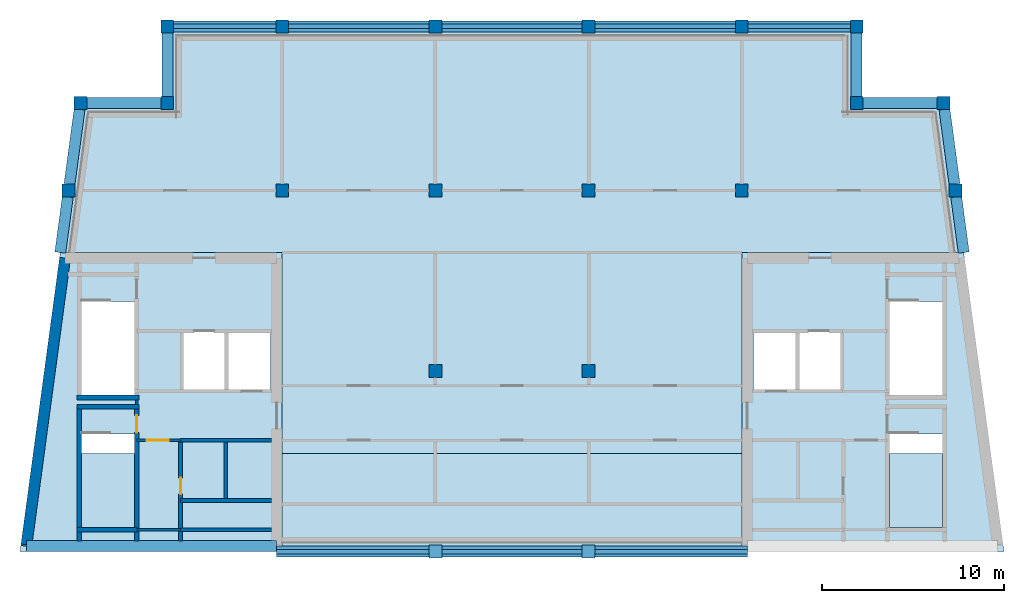
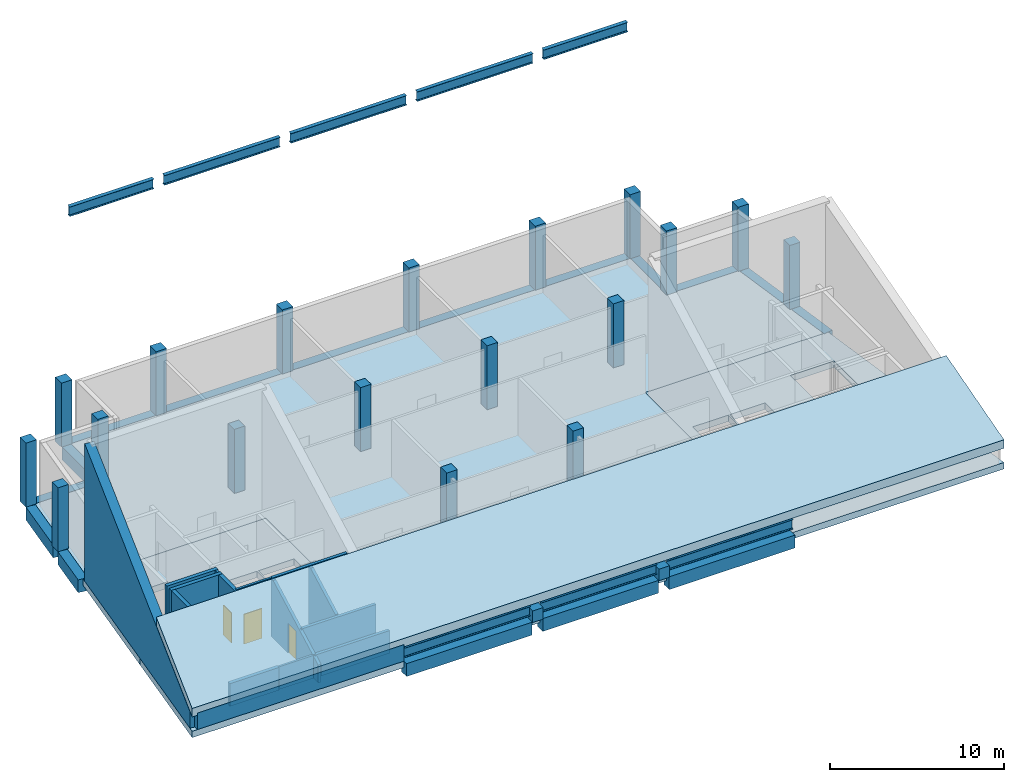
# One storey, part 1 of 4: 24 beams, 20 columns, 15 walls, 4 slabs, 3 doors, 3 openings.
"""IFC4 building model written with IfcOpenShell, lengths in metres."""

import ifcopenshell
import ifcopenshell.guid

model = None  # the IFC model being written
_history = None  # IfcOwnerHistory: only IFC2X3 demands one
_inside = {}  # id of a spatial element -> (the spatial element, [elements in it])
_under = {}  # id of a project, library or spatial element -> (it, [spatial elements below it])
_declared = {}  # id of a project -> (the project, [libraries it declares])
_typed = {}  # id of a type object -> (the type object, [elements of that type])
_made_of = {}  # id of a material, layer set ... -> (it, [elements and type objects made of it])


def new_model(schema):
    """Start an empty IFC model of exactly this schema.

    Asked for "IFC4X3", IfcOpenShell would pick the latest addendum, in which some entities
    have other attributes; the version numbers below select the first issue.
    IFC2X3 requires an IfcOwnerHistory on every rooted entity: one is made here for all.
    """
    global model, _history
    if schema == "IFC4X3":
        model = ifcopenshell.file(schema_version=(4, 3, 0, 0))
    else:
        model = ifcopenshell.file(schema=schema)
    _inside.clear()
    _under.clear()
    _declared.clear()
    _typed.clear()
    _made_of.clear()
    _history = None
    if model.schema == "IFC2X3":
        org = make("IfcOrganization", Name="unknown")
        user = make(
            "IfcPersonAndOrganization",
            ThePerson=make("IfcPerson", FamilyName="unknown"),
            TheOrganization=org,
        )
        app = make(
            "IfcApplication",
            ApplicationDeveloper=org,
            Version="unknown",
            ApplicationFullName="unknown",
            ApplicationIdentifier="unknown",
        )
        _history = make(
            "IfcOwnerHistory",
            OwningUser=user,
            OwningApplication=app,
            ChangeAction="ADDED",
            CreationDate=0,
        )
    return model


def make(cls, **values):
    """One entity of the class cls with the attributes given. An attribute that is None is left unset."""
    return model.create_entity(
        cls, **{name: value for name, value in values.items() if value is not None}
    )


def rooted(cls, **values):
    """An entity with a GlobalId (a new one), such as an element, a storey or a relation."""
    return make(cls, GlobalId=ifcopenshell.guid.new(), OwnerHistory=_history, **values)


def si_unit(unit_type, name, prefix=None):
    """IfcSIUnit, for example si_unit("LENGTHUNIT", "METRE", prefix="MILLI")."""
    return make("IfcSIUnit", UnitType=unit_type, Prefix=prefix, Name=name)


def assignment(units):
    """IfcUnitAssignment: the units of a project."""
    return None if units is None else make("IfcUnitAssignment", Units=units)


def point(xyz):
    """IfcCartesianPoint."""
    return None if xyz is None else make("IfcCartesianPoint", Coordinates=xyz)


def direction(xyz):
    """IfcDirection."""
    return None if xyz is None else make("IfcDirection", DirectionRatios=xyz)


def frame(location, z_axis=None, x_axis=None):
    """IfcAxis2Placement3D, a coordinate frame: its origin and axes. An axis left out is left unset."""
    return make(
        "IfcAxis2Placement3D",
        Location=point(location),
        Axis=direction(z_axis),
        RefDirection=direction(x_axis),
    )


def frame_2d(location, x_axis=None):
    """IfcAxis2Placement2D, a coordinate frame in the plane: its origin and x axis."""
    return make(
        "IfcAxis2Placement2D", Location=point(location), RefDirection=direction(x_axis)
    )


def origin():
    """The frame at (0, 0, 0) with its axes left unset."""
    return frame((0.0, 0.0, 0.0))


def origin_2d():
    """The frame at (0, 0) in the plane with its x axis left unset."""
    return frame_2d((0.0, 0.0))


def place(relative_to, where):
    """IfcLocalPlacement: puts the frame where relative to a parent placement (None: the world)."""
    return make(
        "IfcLocalPlacement", PlacementRelTo=relative_to, RelativePlacement=where
    )


def context(
    kind, dimensions, precision=None, world=None, true_north=None, identifier=None
):
    """IfcGeometricRepresentationContext, for example the 3D "Model" context."""
    return make(
        "IfcGeometricRepresentationContext",
        ContextIdentifier=identifier,
        ContextType=kind,
        CoordinateSpaceDimension=dimensions,
        Precision=precision,
        WorldCoordinateSystem=world,
        TrueNorth=true_north,
    )


def subcontext(parent, identifier, kind, view, scale=None):
    """IfcGeometricRepresentationSubContext, for example "Body" below "Model"."""
    return make(
        "IfcGeometricRepresentationSubContext",
        ContextIdentifier=identifier,
        ContextType=kind,
        ParentContext=parent,
        TargetScale=scale,
        TargetView=view,
    )


def project(units=None, contexts=None):
    """IfcProject with its units and contexts."""
    return rooted(
        "IfcProject",
        Name="project",
        RepresentationContexts=contexts,
        UnitsInContext=assignment(units),
    )


def spatial(cls, under=None, at=None, **own):
    """A site, building, storey or space (cls), placed at a placement, below another one or the project."""
    s = rooted(cls, ObjectPlacement=at, **own)
    if under is not None:
        _under.setdefault(under.id(), (under, []))[1].append(s)
    return s


def polyline(points):
    """IfcPolyline through the points."""
    return make("IfcPolyline", Points=[point(p) for p in points])


def profile(cls, at=None, kind="AREA", **sizes):
    """A parametric profile (cls). Its sizes go by their IFC names, for example OverallWidth=200.0."""
    return make(cls, ProfileType=kind, Position=at, **sizes)


def rectangle(**sizes):
    """IfcRectangleProfileDef."""
    return profile("IfcRectangleProfileDef", **sizes)


def i_section(**sizes):
    """IfcIShapeProfileDef."""
    return profile("IfcIShapeProfileDef", **sizes)


def outline(outer, holes=None, kind="AREA"):
    """IfcArbitraryClosedProfileDef: a profile drawn as a closed curve; with holes, ...WithVoids."""
    if holes is None:
        return make("IfcArbitraryClosedProfileDef", ProfileType=kind, OuterCurve=outer)
    return make(
        "IfcArbitraryProfileDefWithVoids",
        ProfileType=kind,
        OuterCurve=outer,
        InnerCurves=holes,
    )


def extrude(swept, where, along, depth):
    """IfcExtrudedAreaSolid: the profile swept, set in the frame where, extruded along a direction by depth."""
    return make(
        "IfcExtrudedAreaSolid",
        SweptArea=swept,
        Position=where,
        ExtrudedDirection=direction(along),
        Depth=depth,
    )


def shape(context_of_items, identifier, shape_type, items):
    """IfcShapeRepresentation: the items that make up one representation, for example the "Body"."""
    return make(
        "IfcShapeRepresentation",
        ContextOfItems=context_of_items,
        RepresentationIdentifier=identifier,
        RepresentationType=shape_type,
        Items=items,
    )


def material(Name=None, Category=None):
    """IfcMaterial."""
    return make("IfcMaterial", Name=Name, Category=Category)


def layer(
    of_material, thickness, ventilated=None, Name=None, Category=None, Priority=None
):
    """IfcMaterialLayer: one layer of a wall or slab, of a material (None: an air gap)."""
    return make(
        "IfcMaterialLayer",
        Material=of_material,
        LayerThickness=thickness,
        IsVentilated=ventilated,
        Name=Name,
        Category=Category,
        Priority=Priority,
    )


def layer_set(layers, Name=None):
    """IfcMaterialLayerSet."""
    return make("IfcMaterialLayerSet", MaterialLayers=layers, LayerSetName=Name)


def material_profile(
    of_material, cross_section, Name=None, Category=None, Priority=None
):
    """IfcMaterialProfile: a cross section and its material."""
    return make(
        "IfcMaterialProfile",
        Name=Name,
        Material=of_material,
        Profile=cross_section,
        Priority=Priority,
        Category=Category,
    )


def profile_set(profiles, Name=None, composite=None):
    """IfcMaterialProfileSet."""
    return make(
        "IfcMaterialProfileSet",
        Name=Name,
        MaterialProfiles=profiles,
        CompositeProfile=composite,
    )


def made_of(thing, what):
    """Note that an element or type object is made of a material, layer set ...; save() writes the relation."""
    if what is not None:
        _made_of.setdefault(what.id(), (what, []))[1].append(thing)
    return thing


def type_object(cls, material=None, **own):
    """A type object (cls), such as IfcWallType, which elements share."""
    return made_of(rooted(cls, **own), material)


def element(
    cls,
    number,
    at=None,
    inside=None,
    cuts=None,
    type_object=None,
    material=None,
    context=None,
    identifier="Body",
    shape_type=None,
    held_by="IfcProductDefinitionShape",
    body=None,
    shapes=None,
    **own,
):
    """One element of the class cls, such as IfcWall. Its Tag is "e" and its number.

    at: its placement. inside: the storey or other place that contains it. cuts: it is an
    opening in that element (IfcRelVoidsElement). A single representation is given by context,
    identifier, shape_type and body (its items); several are given by shapes. held_by: the class
    of the entity that holds the representations. save() writes the other relations.
    """
    e = rooted(cls, Tag="e%d" % number, ObjectPlacement=at, **own)
    if body is not None:
        shapes = [shape(context, identifier, shape_type, body)]
    if shapes is not None:
        e.Representation = make(held_by, Representations=shapes)
    if inside is not None:
        _inside.setdefault(inside.id(), (inside, []))[1].append(e)
    if cuts is not None:
        rooted(
            "IfcRelVoidsElement", RelatingBuildingElement=cuts, RelatedOpeningElement=e
        )
    if type_object is not None:
        _typed.setdefault(type_object.id(), (type_object, []))[1].append(e)
    return made_of(e, material)


def fill(opening, filler):
    """IfcRelFillsElement: the door or window that sits in an opening."""
    return rooted(
        "IfcRelFillsElement",
        RelatingOpeningElement=opening,
        RelatedBuildingElement=filler,
    )


def aggregate(whole, parts):
    """IfcRelAggregates: a whole, such as a stair, and the parts it consists of."""
    return rooted("IfcRelAggregates", RelatingObject=whole, RelatedObjects=parts)


def save(model, path):
    """Write the relations noted so far, then the file.

    IfcRelAggregates (storeys below a building ...), IfcRelContainedInSpatialStructure (elements
    in a storey), IfcRelDefinesByType, IfcRelAssociatesMaterial and IfcRelDeclares: one each for
    every whole, place, type object, material and project.
    """
    for whole, parts in _under.values():
        aggregate(whole, parts)
    for where, things in _inside.values():
        rooted(
            "IfcRelContainedInSpatialStructure",
            RelatedElements=things,
            RelatingStructure=where,
        )
    for kind, things in _typed.values():
        rooted("IfcRelDefinesByType", RelatedObjects=things, RelatingType=kind)
    for what, things in _made_of.values():
        rooted("IfcRelAssociatesMaterial", RelatedObjects=things, RelatingMaterial=what)
    for by, libraries in _declared.values():
        rooted("IfcRelDeclares", RelatingContext=by, RelatedDefinitions=libraries)
    model.write(path)


model = new_model("IFC4")

# Units and contexts
model_context = context("Model", 3, precision=1e-05, world=origin(), true_north=direction((0.0, 1.0)))
body_context = subcontext(model_context, "Body", "Model", "MODEL_VIEW")
ifc_project = project(units=[si_unit("LENGTHUNIT", "METRE"), si_unit("AREAUNIT", "SQUARE_METRE"), si_unit("VOLUMEUNIT", "CUBIC_METRE"), si_unit("PLANEANGLEUNIT", "RADIAN"), si_unit("MASSUNIT", "GRAM", prefix="KILO")], contexts=[model_context])

# Site, building, storey
site_placement = place(None, origin())
site = spatial("IfcSite", under=ifc_project, at=site_placement, CompositionType="ELEMENT")
building_placement = place(site_placement, origin())
building = spatial("IfcBuilding", under=site, at=building_placement, Name="Candeia Pilgrim Tower and Theatre", CompositionType="ELEMENT")
storey_placement = place(building_placement, frame((0.0, 0.0, 319.89990234375)))
storey = spatial("IfcBuildingStorey", under=building, at=storey_placement, Name="L77", CompositionType="ELEMENT", Elevation=319.89990234375)

# Columns
ifc_material_1 = material(Name="Concrete C40/50", Category="concrete")
ifc_material_profile_1 = material_profile(ifc_material_1, rectangle(XDim=0.699951171875, YDim=0.699951171875, at=origin_2d()))
ifc_profile_set_1 = profile_set([ifc_material_profile_1], Name="Concrete C40/50")
column_type = type_object("IfcColumnType", Name="RC 700x700 C40/50", PredefinedType="COLUMN", material=ifc_profile_set_1)
for number, where, z_axis, x_axis, name in (
    (1, (94.5, 140.60009765625, 0.0), (0.0, 0.0, 1.0), (1.0, 0.0, 0.0), "Column NNW"),
    (2, (132.300048828125, 140.60009765625, 0.0), (0.0, 0.0, 1.0), (1.0, 0.0, 0.0), "Column NNE"),
    (3, (89.734619140625, 140.60009765625, 0.0), (0.0, 0.0, 1.0), (1.0, 0.0, 0.0), "Column LNW"),
    (4, (137.0654296875, 140.60009765625, 0.0), (0.0, 0.0, 1.0), (1.0, 0.0, 0.0), "Column LNE"),
):
    element("IfcColumn", number, at=place(storey_placement, frame(where, z_axis=z_axis, x_axis=x_axis)), inside=storey, type_object=column_type, Name=name, PredefinedType="COLUMN", context=body_context, shape_type="SweptSolid", body=[
        extrude(rectangle(XDim=0.699951171875, YDim=0.699951171875, at=origin_2d()), origin(), (0.0, 0.0, 1.0), 4.5),
    ])
for number, where, z_axis, x_axis, name in (
    (5, (109.199951171875, 116.0, 0.0), (0.0, 0.0, 1.0), (1.0, 0.0, 0.0), "Column C3"),
    (6, (117.60009765625, 116.0, 0.0), (0.0, 0.0, 1.0), (1.0, 0.0, 0.0), "Column C4"),
):
    element("IfcColumn", number, at=place(storey_placement, frame(where, z_axis=z_axis, x_axis=x_axis)), inside=storey, type_object=column_type, Name=name, PredefinedType="COLUMN", context=body_context, shape_type="SweptSolid", body=[
        extrude(rectangle(XDim=0.699951171875, YDim=0.699951171875, at=origin_2d()), origin(), (0.0, 0.0, 1.0), 0.811767578125),
    ])
for number, where, z_axis, x_axis, name in (
    (7, (109.199951171875, 125.89990234375, 0.0), (0.0, 0.0, 1.0), (1.0, 0.0, 0.0), "Column D3"),
    (8, (117.60009765625, 125.89990234375, 0.0), (0.0, 0.0, 1.0), (1.0, 0.0, 0.0), "Column D4"),
    (9, (100.800048828125, 135.800048828125, 0.0), (0.0, 0.0, 1.0), (1.0, 0.0, 0.0), "Column E2"),
    (10, (109.199951171875, 135.800048828125, 0.0), (0.0, 0.0, 1.0), (1.0, 0.0, 0.0), "Column E3"),
    (11, (117.60009765625, 135.800048828125, 0.0), (0.0, 0.0, 1.0), (1.0, 0.0, 0.0), "Column E4"),
    (12, (126.0, 135.800048828125, 0.0), (0.0, 0.0, 1.0), (1.0, 0.0, 0.0), "Column E5"),
    (13, (89.08837890625, 135.800048828125, 0.0), (0.0, 0.0, 1.0), (1.0, 0.0, 0.0), "Column EW"),
    (14, (137.71142578125, 135.800048828125, 0.0), (0.0, 0.0, 1.0), (1.0, 0.0, 0.0), "Column EE"),
    (15, (100.800048828125, 144.800048828125, 0.0), (0.0, 0.0, 1.0), (1.0, 0.0, 0.0), "Column F2"),
    (16, (109.199951171875, 144.800048828125, 0.0), (0.0, 0.0, 1.0), (1.0, 0.0, 0.0), "Column F3"),
    (17, (117.60009765625, 144.800048828125, 0.0), (0.0, 0.0, 1.0), (1.0, 0.0, 0.0), "Column F4"),
    (18, (126.0, 144.800048828125, 0.0), (0.0, 0.0, 1.0), (1.0, 0.0, 0.0), "Column F5"),
    (19, (94.5, 144.800048828125, 0.0), (0.0, 0.0, 1.0), (1.0, 0.0, 0.0), "Column FW"),
    (20, (132.300048828125, 144.800048828125, 0.0), (0.0, 0.0, 1.0), (1.0, 0.0, 0.0), "Column FE"),
):
    element("IfcColumn", number, at=place(storey_placement, frame(where, z_axis=z_axis, x_axis=x_axis)), inside=storey, type_object=column_type, Name=name, PredefinedType="COLUMN", context=body_context, shape_type="SweptSolid", body=[
        extrude(rectangle(XDim=0.699951171875, YDim=0.699951171875, at=origin_2d()), origin(), (0.0, 0.0, 1.0), 4.5),
    ])

# Beams
ifc_material_profile_2 = material_profile(ifc_material_1, rectangle(XDim=0.60009765625, YDim=0.89990234375, at=origin_2d()))
ifc_profile_set_2 = profile_set([ifc_material_profile_2], Name="Concrete C40/50")
beam_type_1 = type_object("IfcBeamType", Name="RC 600x900 C40/50", PredefinedType="BEAM", material=ifc_profile_set_2)
beam_1_placement = place(storey_placement, frame((90.084716796875, 140.60009765625, -0.449951171875), z_axis=(1.0, 0.0, 0.0), x_axis=(0.0, 1.0, 0.0)))
element("IfcBeam", 21, at=beam_1_placement, inside=storey, type_object=beam_type_1, Name="Spandrel beam L77-01", PredefinedType="BEAM", context=body_context, shape_type="SweptSolid", body=[
    extrude(rectangle(XDim=0.60009765625, YDim=0.89990234375, at=origin_2d()), origin(), (0.0, 0.0, 1.0), 4.065185546875),
])
beam_2_placement = place(storey_placement, frame((94.5, 140.949951171875, -0.449951171875), z_axis=(0.0, 1.0, 0.0), x_axis=(-1.0, 0.0, 0.0)))
element("IfcBeam", 22, at=beam_2_placement, inside=storey, type_object=beam_type_1, Name="Spandrel beam L77-02", PredefinedType="BEAM", context=body_context, shape_type="SweptSolid", body=[
    extrude(rectangle(XDim=0.60009765625, YDim=0.89990234375, at=origin_2d()), origin(), (0.0, 0.0, 1.0), 3.5),
])
beam_3_placement = place(storey_placement, frame((94.85009765625, 144.800048828125, -0.449951171875), z_axis=(1.0, 0.0, 0.0), x_axis=(0.0, 1.0, 0.0)))
element("IfcBeam", 23, at=beam_3_placement, inside=storey, type_object=beam_type_1, Name="Spandrel beam L77-03", PredefinedType="BEAM", context=body_context, shape_type="SweptSolid", body=[
    extrude(rectangle(XDim=0.60009765625, YDim=0.89990234375, at=origin_2d()), origin(), (0.0, 0.0, 1.0), 5.599853515625),
])
beam_4_placement = place(storey_placement, frame((101.14990234375, 144.800048828125, -0.449951171875), z_axis=(1.0, 0.0, 0.0), x_axis=(0.0, 1.0, 0.0)))
element("IfcBeam", 24, at=beam_4_placement, inside=storey, type_object=beam_type_1, Name="Spandrel beam L77-04", PredefinedType="BEAM", context=body_context, shape_type="SweptSolid", body=[
    extrude(rectangle(XDim=0.60009765625, YDim=0.89990234375, at=origin_2d()), origin(), (0.0, 0.0, 1.0), 7.7001953125),
])
for number, where, z_axis, x_axis, name in (
    (25, (109.550048828125, 144.800048828125, -0.449951171875), (1.0, 0.0, 0.0), (0.0, 1.0, 0.0), "Spandrel beam L77-05"),
    (26, (117.949951171875, 144.800048828125, -0.449951171875), (1.0, 0.0, 0.0), (0.0, 1.0, 0.0), "Spandrel beam L77-06"),
):
    element("IfcBeam", number, at=place(storey_placement, frame(where, z_axis=z_axis, x_axis=x_axis)), inside=storey, type_object=beam_type_1, Name=name, PredefinedType="BEAM", context=body_context, shape_type="SweptSolid", body=[
        extrude(rectangle(XDim=0.60009765625, YDim=0.89990234375, at=origin_2d()), origin(), (0.0, 0.0, 1.0), 7.699951171875),
    ])
beam_5_placement = place(storey_placement, frame((126.35009765625, 144.800048828125, -0.449951171875), z_axis=(1.0, 0.0, 0.0), x_axis=(0.0, 1.0, 0.0)))
element("IfcBeam", 27, at=beam_5_placement, inside=storey, type_object=beam_type_1, Name="Spandrel beam L77-07", PredefinedType="BEAM", context=body_context, shape_type="SweptSolid", body=[
    extrude(rectangle(XDim=0.60009765625, YDim=0.89990234375, at=origin_2d()), origin(), (0.0, 0.0, 1.0), 5.599853515625),
])
beam_6_placement = place(storey_placement, frame((132.300048828125, 144.449951171875, -0.449951171875), z_axis=(0.0, -1.0, 0.0), x_axis=(1.0, 0.0, 0.0)))
element("IfcBeam", 28, at=beam_6_placement, inside=storey, type_object=beam_type_1, Name="Spandrel beam L77-08", PredefinedType="BEAM", context=body_context, shape_type="SweptSolid", body=[
    extrude(rectangle(XDim=0.60009765625, YDim=0.89990234375, at=origin_2d()), origin(), (0.0, 0.0, 1.0), 3.5),
])
beam_7_placement = place(storey_placement, frame((132.64990234375, 140.60009765625, -0.449951171875), z_axis=(1.0, 0.0, 0.0), x_axis=(0.0, 1.0, 0.0)))
element("IfcBeam", 29, at=beam_7_placement, inside=storey, type_object=beam_type_1, Name="Spandrel beam L77-09", PredefinedType="BEAM", context=body_context, shape_type="SweptSolid", body=[
    extrude(rectangle(XDim=0.60009765625, YDim=0.89990234375, at=origin_2d()), origin(), (0.0, 0.0, 1.0), 4.0654296875),
])
beam_8_placement = place(storey_placement, frame((137.112548828125, 140.25, -0.449951171875), z_axis=(0.133369654618, -0.991066362676, 0.0), x_axis=(0.991066362676, 0.133369654618, 0.0)))
element("IfcBeam", 30, at=beam_8_placement, inside=storey, type_object=beam_type_1, Name="Spandrel beam L77-10", PredefinedType="BEAM", context=body_context, shape_type="SweptSolid", body=[
    extrude(rectangle(XDim=0.60009765625, YDim=0.89990234375, at=origin_2d()), origin(), (0.0, 0.0, 1.0), 4.136962890625),
])
beam_9_placement = place(storey_placement, frame((137.758544921875, 135.449951171875, -0.449951171875), z_axis=(0.133431491393, -0.991058039221, 0.0), x_axis=(0.991058039221, 0.133431491393, 0.0)))
element("IfcBeam", 31, at=beam_9_placement, inside=storey, type_object=beam_type_1, Name="Spandrel beam L77-11", PredefinedType="BEAM", context=body_context, shape_type="SweptSolid", body=[
    extrude(rectangle(XDim=0.60009765625, YDim=0.89990234375, at=origin_2d()), origin(), (0.0, 0.0, 1.0), 3.07763671875),
])
beam_10_placement = place(storey_placement, frame((126.300048828125, 116.0, -0.449951171875), z_axis=(-1.0, 0.0, 0.0), x_axis=(0.0, -1.0, 0.0)))
element("IfcBeam", 32, at=beam_10_placement, inside=storey, type_object=beam_type_1, Name="Spandrel beam L77-12", PredefinedType="BEAM", context=body_context, shape_type="SweptSolid", body=[
    extrude(rectangle(XDim=0.60009765625, YDim=0.89990234375, at=origin_2d()), origin(), (0.0, 0.0, 1.0), 8.35009765625),
])
beam_11_placement = place(storey_placement, frame((117.25, 116.0, -0.449951171875), z_axis=(-1.0, 0.0, 0.0), x_axis=(0.0, -1.0, 0.0)))
element("IfcBeam", 33, at=beam_11_placement, inside=storey, type_object=beam_type_1, Name="Spandrel beam L77-13", PredefinedType="BEAM", context=body_context, shape_type="SweptSolid", body=[
    extrude(rectangle(XDim=0.60009765625, YDim=0.89990234375, at=origin_2d()), origin(), (0.0, 0.0, 1.0), 7.699951171875),
])
beam_12_placement = place(storey_placement, frame((108.85009765625, 116.0, -0.449951171875), z_axis=(-1.0, 0.0, 0.0), x_axis=(0.0, -1.0, 0.0)))
element("IfcBeam", 34, at=beam_12_placement, inside=storey, type_object=beam_type_1, Name="Spandrel beam L77-14", PredefinedType="BEAM", context=body_context, shape_type="SweptSolid", body=[
    extrude(rectangle(XDim=0.60009765625, YDim=0.89990234375, at=origin_2d()), origin(), (0.0, 0.0, 1.0), 8.35009765625),
])
beam_13_placement = place(storey_placement, frame((88.630859375, 132.39990234375, -0.449951171875), z_axis=(0.13335357346, 0.991068526614, 0.0), x_axis=(-0.991068526614, 0.13335357346, 0.0)))
element("IfcBeam", 35, at=beam_13_placement, inside=storey, type_object=beam_type_1, Name="Spandrel beam L77-15", PredefinedType="BEAM", context=body_context, shape_type="SweptSolid", body=[
    extrude(rectangle(XDim=0.60009765625, YDim=0.89990234375, at=origin_2d()), origin(), (0.0, 0.0, 1.0), 3.07763671875),
])
beam_14_placement = place(storey_placement, frame((89.135498046875, 136.14990234375, -0.449951171875), z_axis=(0.133427617361, 0.991058560795, 0.0), x_axis=(-0.991058560795, 0.133427617361, 0.0)))
element("IfcBeam", 36, at=beam_14_placement, inside=storey, type_object=beam_type_1, Name="Spandrel beam L77-16", PredefinedType="BEAM", context=body_context, shape_type="SweptSolid", body=[
    extrude(rectangle(XDim=0.60009765625, YDim=0.89990234375, at=origin_2d()), origin(), (0.0, 0.0, 1.0), 4.13720703125),
])
ifc_material_2 = material(Name="Structural steel ASTM A572 Grade 50", Category="steel")
ifc_material_profile_3 = material_profile(ifc_material_2, i_section(OverallWidth=0.2529296875, OverallDepth=0.677978515625, WebThickness=0.01171875, FlangeThickness=0.016357421875, FilletRadius=0.0126953125, at=origin_2d()))
ifc_profile_set_3 = profile_set([ifc_material_profile_3], Name="Structural steel ASTM A572 Grade 50")
beam_type_2 = type_object("IfcBeamType", Name="W690x125 steel", PredefinedType="BEAM", material=ifc_profile_set_3)
beam_15_placement = place(storey_placement, frame((100.5, 116.0, 0.6611328125), z_axis=(1.0, 0.0, 0.0), x_axis=(0.0, 1.0, 0.0)))
element("IfcBeam", 37, at=beam_15_placement, inside=storey, type_object=beam_type_2, Name="Crown girder C1", PredefinedType="BEAM", context=body_context, shape_type="SweptSolid", body=[
    extrude(i_section(OverallWidth=0.2529296875, OverallDepth=0.677978515625, WebThickness=0.01171875, FlangeThickness=0.016357421875, FilletRadius=0.0126953125, at=origin_2d()), origin(), (0.0, 0.0, 1.0), 8.35009765625),
])
beam_16_placement = place(storey_placement, frame((109.550048828125, 116.0, 0.6611328125), z_axis=(1.0, 0.0, 0.0), x_axis=(0.0, 1.0, 0.0)))
element("IfcBeam", 38, at=beam_16_placement, inside=storey, type_object=beam_type_2, Name="Crown girder C2", PredefinedType="BEAM", context=body_context, shape_type="SweptSolid", body=[
    extrude(i_section(OverallWidth=0.2529296875, OverallDepth=0.677978515625, WebThickness=0.01171875, FlangeThickness=0.016357421875, FilletRadius=0.0126953125, at=origin_2d()), origin(), (0.0, 0.0, 1.0), 7.699951171875),
])
beam_17_placement = place(storey_placement, frame((117.949951171875, 116.0, 0.6611328125), z_axis=(1.0, 0.0, 0.0), x_axis=(0.0, 1.0, 0.0)))
element("IfcBeam", 39, at=beam_17_placement, inside=storey, type_object=beam_type_2, Name="Crown girder C3", PredefinedType="BEAM", context=body_context, shape_type="SweptSolid", body=[
    extrude(i_section(OverallWidth=0.2529296875, OverallDepth=0.677978515625, WebThickness=0.01171875, FlangeThickness=0.016357421875, FilletRadius=0.0126953125, at=origin_2d()), origin(), (0.0, 0.0, 1.0), 8.35009765625),
])
beam_18_placement = place(storey_placement, frame((94.85009765625, 144.800048828125, 16.1611328125), z_axis=(1.0, 0.0, 0.0), x_axis=(0.0, 1.0, 0.0)))
element("IfcBeam", 40, at=beam_18_placement, inside=storey, type_object=beam_type_2, Name="Crown girder F10", PredefinedType="BEAM", context=body_context, shape_type="SweptSolid", body=[
    extrude(i_section(OverallWidth=0.2529296875, OverallDepth=0.677978515625, WebThickness=0.01171875, FlangeThickness=0.016357421875, FilletRadius=0.0126953125, at=origin_2d()), origin(), (0.0, 0.0, 1.0), 5.599853515625),
])
beam_19_placement = place(storey_placement, frame((101.14990234375, 144.800048828125, 16.1611328125), z_axis=(1.0, 0.0, 0.0), x_axis=(0.0, 1.0, 0.0)))
element("IfcBeam", 41, at=beam_19_placement, inside=storey, type_object=beam_type_2, Name="Crown girder F11", PredefinedType="BEAM", context=body_context, shape_type="SweptSolid", body=[
    extrude(i_section(OverallWidth=0.2529296875, OverallDepth=0.677978515625, WebThickness=0.01171875, FlangeThickness=0.016357421875, FilletRadius=0.0126953125, at=origin_2d()), origin(), (0.0, 0.0, 1.0), 7.7001953125),
])
for number, where, z_axis, x_axis, name in (
    (42, (109.550048828125, 144.800048828125, 16.1611328125), (1.0, 0.0, 0.0), (0.0, 1.0, 0.0), "Crown girder F12"),
    (43, (117.949951171875, 144.800048828125, 16.1611328125), (1.0, 0.0, 0.0), (0.0, 1.0, 0.0), "Crown girder F13"),
):
    element("IfcBeam", number, at=place(storey_placement, frame(where, z_axis=z_axis, x_axis=x_axis)), inside=storey, type_object=beam_type_2, Name=name, PredefinedType="BEAM", context=body_context, shape_type="SweptSolid", body=[
        extrude(i_section(OverallWidth=0.2529296875, OverallDepth=0.677978515625, WebThickness=0.01171875, FlangeThickness=0.016357421875, FilletRadius=0.0126953125, at=origin_2d()), origin(), (0.0, 0.0, 1.0), 7.699951171875),
    ])
beam_20_placement = place(storey_placement, frame((126.35009765625, 144.800048828125, 16.1611328125), z_axis=(1.0, 0.0, 0.0), x_axis=(0.0, 1.0, 0.0)))
element("IfcBeam", 44, at=beam_20_placement, inside=storey, type_object=beam_type_2, Name="Crown girder F14", PredefinedType="BEAM", context=body_context, shape_type="SweptSolid", body=[
    extrude(i_section(OverallWidth=0.2529296875, OverallDepth=0.677978515625, WebThickness=0.01171875, FlangeThickness=0.016357421875, FilletRadius=0.0126953125, at=origin_2d()), origin(), (0.0, 0.0, 1.0), 5.599853515625),
])

# Slabs
ifc_material_3 = material(Name="Concrete C60/75", Category="concrete")
ifc_layer_1 = layer(ifc_material_3, 0.449951171875)
ifc_layer_set_1 = layer_set([ifc_layer_1], Name="FS-CORE 450 core floor")
slab_type_1 = type_object("IfcSlabType", Name="FS-CORE 450 core floor", PredefinedType="FLOOR", material=ifc_layer_set_1)
slab_1_placement = place(storey_placement, frame((0.0, 0.0, -0.449951171875)))
element("IfcSlab", 45, at=slab_1_placement, inside=storey, type_object=slab_type_1, Name="Core floor W L77", PredefinedType="FLOOR", context=body_context, shape_type="SweptSolid", body=[
    extrude(outline(polyline([(100.800048828125, 132.39990234375), (100.800048828125, 116.0), (86.423095703125, 116.0), (88.630859375, 132.39990234375), (100.800048828125, 132.39990234375)]), holes=[polyline([(97.792236328125, 124.85009765625), (100.14990234375, 124.85009765625), (100.14990234375, 128.050048828125), (97.792236328125, 128.050048828125), (97.792236328125, 124.85009765625)]), polyline([(95.334716796875, 124.85009765625), (97.6923828125, 124.85009765625), (97.6923828125, 128.050048828125), (95.334716796875, 128.050048828125), (95.334716796875, 124.85009765625)]), polyline([(89.802001953125, 117.324951171875), (92.701904296875, 117.324951171875), (92.701904296875, 122.455078125), (89.802001953125, 122.455078125), (89.802001953125, 117.324951171875)]), polyline([(89.802001953125, 124.574951171875), (92.701904296875, 124.574951171875), (92.701904296875, 129.705078125), (89.802001953125, 129.705078125), (89.802001953125, 124.574951171875)])]), origin(), (0.0, 0.0, 1.0), 0.449951171875),
])
slab_2_placement = place(storey_placement, frame((0.0, 0.0, -0.449951171875)))
element("IfcSlab", 46, at=slab_2_placement, inside=storey, type_object=slab_type_1, Name="Core floor E L77", PredefinedType="FLOOR", context=body_context, shape_type="SweptSolid", body=[
    extrude(outline(polyline([(138.169189453125, 132.39990234375), (140.376953125, 116.0), (126.0, 116.0), (126.0, 132.39990234375), (138.169189453125, 132.39990234375)]), holes=[polyline([(134.097900390625, 117.324951171875), (136.998046875, 117.324951171875), (136.998046875, 122.455078125), (134.097900390625, 122.455078125), (134.097900390625, 117.324951171875)]), polyline([(134.097900390625, 124.574951171875), (136.998046875, 124.574951171875), (136.998046875, 129.705078125), (134.097900390625, 129.705078125), (134.097900390625, 124.574951171875)]), polyline([(129.107666015625, 128.050048828125), (129.107666015625, 124.85009765625), (131.46533203125, 124.85009765625), (131.46533203125, 128.050048828125), (129.107666015625, 128.050048828125)]), polyline([(126.64990234375, 128.050048828125), (126.64990234375, 124.85009765625), (129.0078125, 124.85009765625), (129.0078125, 128.050048828125), (126.64990234375, 128.050048828125)])]), origin(), (0.0, 0.0, 1.0), 0.449951171875),
])
ifc_material_4 = material(Name="Concrete C50/60", Category="concrete")
ifc_layer_2 = layer(ifc_material_4, 0.449951171875)
ifc_layer_set_2 = layer_set([ifc_layer_2], Name="Floor slab 450 C50/60")
slab_type_2 = type_object("IfcSlabType", Name="Floor slab 450 C50/60", PredefinedType="FLOOR", material=ifc_layer_set_2)
slab_3_placement = place(storey_placement, frame((0.0, 0.0, -0.449951171875)))
element("IfcSlab", 47, at=slab_3_placement, inside=storey, type_object=slab_type_2, Name="Floor slab L77", PredefinedType="FLOOR", context=body_context, shape_type="SweptSolid", body=[
    extrude(outline(polyline([(94.5, 140.60009765625), (94.5, 144.800048828125), (132.300048828125, 144.800048828125), (132.300048828125, 140.60009765625), (137.0654296875, 140.60009765625), (140.376953125, 116.0), (138.169189453125, 132.39990234375), (126.0, 132.39990234375), (126.0, 116.0), (100.800048828125, 116.0), (100.800048828125, 132.39990234375), (88.630859375, 132.39990234375), (86.423095703125, 116.0), (89.734619140625, 140.60009765625), (94.5, 140.60009765625)])), origin(), (0.0, 0.0, 1.0), 0.449951171875),
])
ifc_material_5 = material(Name="Glazed ceramic tile bottle green roof panel")
ifc_layer_3 = layer(ifc_material_5, 0.60009765625)
ifc_layer_set_3 = layer_set([ifc_layer_3], Name="RF1 crown roof plane 600")
slab_type_3 = type_object("IfcSlabType", Name="RF1 crown roof plane 600", PredefinedType="ROOF", material=ifc_layer_set_3)
slab_4_placement = place(storey_placement, frame((140.376953125, 116.0, 1.60009765625), z_axis=(0.0, -0.473902336857, 0.880577410067), x_axis=(-0.117711354625, 0.874455505867, 0.470607697825)))
element("IfcSlab", 48, at=slab_4_placement, inside=storey, type_object=slab_type_3, Name="Crown roof plane L77", PredefinedType="ROOF", context=body_context, shape_type="SweptSolid", body=[
    extrude(outline(polyline([(0.0, 0.0), (6.162037631673657, -5.551115123125783e-17), (12.342257345098076, 52.13816400987007), (6.350981644377105, 53.57876223703568), (0.0, 0.0)])), origin(), (-0.470607697825, 0.055783686031, -0.880577410067), 0.60009765625),
])

# Walls
ifc_layer_4 = layer(ifc_material_1, 0.60009765625)
ifc_layer_set_4 = layer_set([ifc_layer_4], Name="Core wall 600 C40/50")
wall_type_1 = type_object("IfcWallType", Name="Core wall 600 C40/50", PredefinedType="SHEAR", material=ifc_layer_set_4)
wall_1_placement = place(storey_placement, frame((100.5, 116.300048828125, 0.0), z_axis=(0.0, 0.0, 1.0), x_axis=(-1.0, 0.0, 0.0)))
element("IfcWall", 49, at=wall_1_placement, inside=storey, type_object=wall_type_1, Name="Core wall W3", PredefinedType="SHEAR", context=body_context, shape_type="SweptSolid", body=[
    extrude(outline(polyline([(0.0, 0.0), (13.73388671875, 0.0), (13.73388671875, 1.16162109375), (0.0, 1.16162109375), (0.0, 0.0)])), frame((0.0, 0.300048828125, 0.0), z_axis=(0.0, -1.0, 0.0), x_axis=(1.0, 0.0, 0.0)), (0.0, 0.0, 1.0), 0.60009765625),
])
wall_2_placement = place(storey_placement, frame((86.76611328125, 116.300048828125, 0.0), z_axis=(0.0, 0.0, 1.0), x_axis=(0.13341345841, 0.991060466932, 0.0)))
element("IfcWall", 50, at=wall_2_placement, inside=storey, type_object=wall_type_1, Name="Core wall W4", PredefinedType="SHEAR", context=body_context, shape_type="SweptSolid", body=[
    extrude(outline(polyline([(0.0, 0.0), (15.942626953125, 0.0), (15.942626953125, 9.6650390625), (6.25927734375, 4.5), (0.0, 1.16162109375), (0.0, 0.0)])), frame((0.0, 0.300048828125, 0.0), z_axis=(0.0, -1.0, 0.0), x_axis=(1.0, 0.0, 0.0)), (0.0, 0.0, 1.0), 0.60009765625),
])
ifc_material_6 = material(Name="Gypsum board partition on steel studs", Category="steel")
ifc_layer_5 = layer(ifc_material_6, 0.14990234375)
ifc_layer_set_5 = layer_set([ifc_layer_5], Name="PW-150 lobby wall")
wall_type_2 = type_object("IfcWallType", Name="PW-150 lobby wall", PredefinedType="PARTITIONING", material=ifc_layer_set_5)
wall_3_placement = place(storey_placement, frame((92.826904296875, 117.199951171875, 0.0), z_axis=(0.0, 0.0, 1.0), x_axis=(1.0, 0.0, 0.0)))
element("IfcWall", 51, at=wall_3_placement, inside=storey, type_object=wall_type_2, Name="Lobby wall L77-003", PredefinedType="PARTITIONING", context=body_context, shape_type="SweptSolid", body=[
    extrude(rectangle(XDim=2.400146484375, YDim=0.14990234375, at=frame_2d((1.2001953125, 0.0))), origin(), (0.0, 0.0, 1.0), 1.595947265625),
])

# Wall, opening, door
wall_4_placement = place(storey_placement, frame((92.826904296875, 122.10009765625, 0.0), z_axis=(0.0, 0.0, 1.0), x_axis=(1.0, 0.0, 0.0)))
wall_4 = element("IfcWall", 52, at=wall_4_placement, inside=storey, type_object=wall_type_2, Name="Lobby wall L77-012", PredefinedType="PARTITIONING", context=body_context, shape_type="SweptSolid", body=[
    extrude(rectangle(XDim=2.400146484375, YDim=0.14990234375, at=frame_2d((1.2001953125, 0.0))), origin(), (0.0, 0.0, 1.0), 4.050048828125),
])
opening_1_placement = place(wall_4_placement, frame((0.550048828125, 0.0, 0.0)))
opening_1 = element("IfcOpeningElement", 53, at=opening_1_placement, cuts=wall_4, Name="Opening L77-D012", PredefinedType="OPENING", context=body_context, shape_type="SweptSolid", body=[
    extrude(rectangle(XDim=1.199951171875, YDim=2.10009765625, at=frame_2d((0.60009765625, 1.050048828125))), frame((0.0, 0.0849609375, 0.0), z_axis=(0.0, -1.0, 0.0), x_axis=(1.0, 0.0, 0.0)), (0.0, 0.0, 1.0), 0.169921875),
])
ifc_material_7 = material(Name="Steel fire door set", Category="steel")
door_type_1 = type_object("IfcDoorType", Name="D-1200-FD60", OperationType="NOTDEFINED", PredefinedType="DOOR", material=ifc_material_7)
door_1_placement = place(opening_1_placement, origin())
door_1 = element("IfcDoor", 54, at=door_1_placement, inside=storey, type_object=door_type_1, Name="Door L77-D012", OperationType="SINGLE_SWING_LEFT", OverallHeight=2.10009765625, OverallWidth=1.199951171875, PredefinedType="DOOR", context=body_context, shape_type="SweptSolid", body=[
    extrude(rectangle(XDim=1.199951171875, YDim=2.10009765625, at=frame_2d((0.60009765625, 1.050048828125))), frame((0.0, 0.02490234375, 0.0), z_axis=(0.0, -1.0, 0.0), x_axis=(1.0, 0.0, 0.0)), (0.0, 0.0, 1.0), 0.050048828125),
])
fill(opening_1, door_1)

# Walls
wall_5_placement = place(storey_placement, frame((92.826904296875, 124.074951171875, 0.0), z_axis=(0.0, 0.0, 1.0), x_axis=(0.0, 1.0, 0.0)))
element("IfcWall", 55, at=wall_5_placement, inside=storey, type_object=wall_type_2, Name="Lobby wall L77-032", PredefinedType="PARTITIONING", context=body_context, shape_type="SweptSolid", body=[
    extrude(rectangle(XDim=0.25, YDim=0.14990234375, at=frame_2d((0.125, 0.0))), origin(), (0.0, 0.0, 1.0), 4.050048828125),
])
ifc_layer_6 = layer(ifc_material_1, 0.199951171875)
ifc_layer_set_6 = layer_set([ifc_layer_6], Name="SW-200 shaft wall")
wall_type_3 = type_object("IfcWallType", Name="SW-200 shaft wall", PredefinedType="PARTITIONING", material=ifc_layer_set_6)
wall_6_placement = place(storey_placement, frame((95.22705078125, 117.199951171875, 0.0), z_axis=(0.0, 0.0, 1.0), x_axis=(1.0, 0.0, 0.0)))
element("IfcWall", 56, at=wall_6_placement, inside=storey, type_object=wall_type_3, Name="Shaft wall L77-001", PredefinedType="PARTITIONING", context=body_context, shape_type="SweptSolid", body=[
    extrude(rectangle(XDim=4.972900390625, YDim=0.199951171875, at=frame_2d((2.486328125, 0.0))), origin(), (0.0, 0.0, 1.0), 1.595947265625),
])
wall_7_placement = place(storey_placement, frame((95.22705078125, 118.800048828125, 0.0), z_axis=(0.0, 0.0, 1.0), x_axis=(1.0, 0.0, 0.0)))
element("IfcWall", 57, at=wall_7_placement, inside=storey, type_object=wall_type_3, Name="Shaft wall L77-008", PredefinedType="PARTITIONING", context=body_context, shape_type="SweptSolid", body=[
    extrude(rectangle(XDim=4.972900390625, YDim=0.199951171875, at=frame_2d((2.486328125, 0.0))), origin(), (0.0, 0.0, 1.0), 2.45703125),
])
wall_8_placement = place(storey_placement, frame((95.22705078125, 122.10009765625, 0.0), z_axis=(0.0, 0.0, 1.0), x_axis=(1.0, 0.0, 0.0)))
element("IfcWall", 58, at=wall_8_placement, inside=storey, type_object=wall_type_3, Name="Shaft wall L77-010", PredefinedType="PARTITIONING", context=body_context, shape_type="SweptSolid", body=[
    extrude(rectangle(XDim=4.972900390625, YDim=0.199951171875, at=frame_2d((2.486328125, 0.0))), origin(), (0.0, 0.0, 1.0), 4.050048828125),
])

# Wall, opening, door
wall_9_placement = place(storey_placement, frame((95.22705078125, 116.570068359375, 0.0), z_axis=(0.0, 0.0, 1.0), x_axis=(0.0, 1.0, 0.0)))
wall_9 = element("IfcWall", 59, at=wall_9_placement, inside=storey, type_object=wall_type_3, Name="Shaft wall L77-035", PredefinedType="PARTITIONING", context=body_context, shape_type="SweptSolid", body=[
    extrude(outline(polyline([(0.0, 0.0), (5.429931640625, 0.0), (5.429931640625, 4.050048828125), (5.18994140625, 4.050048828125), (0.0, 1.2568359375), (0.0, 0.0)])), frame((0.0, 0.10009765625, 0.0), z_axis=(0.0, -1.0, 0.0), x_axis=(1.0, 0.0, 0.0)), (0.0, 0.0, 1.0), 0.199951171875),
])
opening_2_placement = place(wall_9_placement, frame((2.580078125, 0.0, 0.0)))
opening_2 = element("IfcOpeningElement", 60, at=opening_2_placement, cuts=wall_9, Name="Opening L77-D015", PredefinedType="OPENING", context=body_context, shape_type="SweptSolid", body=[
    extrude(rectangle(XDim=0.89990234375, YDim=2.10009765625, at=frame_2d((0.449951171875, 1.050048828125))), frame((0.0, 0.10986328125, 0.0), z_axis=(0.0, -1.0, 0.0), x_axis=(1.0, 0.0, 0.0)), (0.0, 0.0, 1.0), 0.219970703125),
])
door_type_2 = type_object("IfcDoorType", Name="D-900-FD60", OperationType="NOTDEFINED", PredefinedType="DOOR", material=ifc_material_7)
door_2_placement = place(opening_2_placement, origin())
door_2 = element("IfcDoor", 61, at=door_2_placement, inside=storey, type_object=door_type_2, Name="Door L77-D015", OperationType="SINGLE_SWING_RIGHT", OverallHeight=2.10009765625, OverallWidth=0.89990234375, PredefinedType="DOOR", context=body_context, shape_type="SweptSolid", body=[
    extrude(rectangle(XDim=0.89990234375, YDim=2.10009765625, at=frame_2d((0.449951171875, 1.050048828125))), frame((0.0, 0.02490234375, 0.0), z_axis=(0.0, -1.0, 0.0), x_axis=(1.0, 0.0, 0.0)), (0.0, 0.0, 1.0), 0.050048828125),
])
fill(opening_2, door_2)

# Walls
wall_10_placement = place(storey_placement, frame((97.71337890625, 118.89990234375, 0.0), z_axis=(0.0, 0.0, 1.0), x_axis=(0.0, 1.0, 0.0)))
element("IfcWall", 62, at=wall_10_placement, inside=storey, type_object=wall_type_3, Name="Shaft wall L77-037", PredefinedType="PARTITIONING", context=body_context, shape_type="SweptSolid", body=[
    extrude(outline(polyline([(0.0, 0.0), (3.10009765625, 0.0), (3.10009765625, 4.050048828125), (2.860107421875, 4.050048828125), (0.0, 2.510986328125), (0.0, 0.0)])), frame((0.0, 0.10009765625, 0.0), z_axis=(0.0, -1.0, 0.0), x_axis=(1.0, 0.0, 0.0)), (0.0, 0.0, 1.0), 0.199951171875),
])
ifc_layer_7 = layer(ifc_material_1, 0.25)
ifc_layer_set_7 = layer_set([ifc_layer_7], Name="SW-250 stair wall")
wall_type_4 = type_object("IfcWallType", Name="SW-250 stair wall", PredefinedType="PARTITIONING", material=ifc_layer_set_7)
wall_11_placement = place(storey_placement, frame((89.552001953125, 117.199951171875, 0.0), z_axis=(0.0, 0.0, 1.0), x_axis=(1.0, 0.0, 0.0)))
element("IfcWall", 63, at=wall_11_placement, inside=storey, type_object=wall_type_4, Name="Stair wall L77-005", PredefinedType="PARTITIONING", context=body_context, shape_type="SweptSolid", body=[
    extrude(rectangle(XDim=3.27490234375, YDim=0.25, at=frame_2d((1.637451171875, 0.0))), origin(), (0.0, 0.0, 1.0), 1.595947265625),
])
for number, where, z_axis, x_axis, name in (
    (64, (89.552001953125, 123.949951171875, 0.0), (0.0, 0.0, 1.0), (1.0, 0.0, 0.0), "Stair wall L77-015"),
    (65, (89.552001953125, 124.449951171875, 0.0), (0.0, 0.0, 1.0), (1.0, 0.0, 0.0), "Stair wall L77-017"),
):
    element("IfcWall", number, at=place(storey_placement, frame(where, z_axis=z_axis, x_axis=x_axis)), inside=storey, type_object=wall_type_4, Name=name, PredefinedType="PARTITIONING", context=body_context, shape_type="SweptSolid", body=[
        extrude(rectangle(XDim=3.39990234375, YDim=0.25, at=frame_2d((1.699951171875, 0.0))), origin(), (0.0, 0.0, 1.0), 4.050048828125),
    ])
wall_12_placement = place(storey_placement, frame((89.677001953125, 116.570068359375, 0.0), z_axis=(0.0, 0.0, 1.0), x_axis=(0.0, 1.0, 0.0)))
element("IfcWall", 66, at=wall_12_placement, inside=storey, type_object=wall_type_4, Name="Stair wall L77-030", PredefinedType="PARTITIONING", context=body_context, shape_type="SweptSolid", body=[
    extrude(outline(polyline([(0.0, 0.0), (7.2548828125, 0.0), (7.2548828125, 4.050048828125), (5.18994140625, 4.050048828125), (0.0, 1.2568359375), (0.0, 0.0)])), frame((0.0, 0.125, 0.0), z_axis=(0.0, -1.0, 0.0), x_axis=(1.0, 0.0, 0.0)), (0.0, 0.0, 1.0), 0.25),
])

# Wall, opening, door
wall_13_placement = place(storey_placement, frame((92.826904296875, 116.570068359375, 0.0), z_axis=(0.0, 0.0, 1.0), x_axis=(0.0, 1.0, 0.0)))
wall_13 = element("IfcWall", 67, at=wall_13_placement, inside=storey, type_object=wall_type_4, Name="Stair wall L77-033", PredefinedType="PARTITIONING", context=body_context, shape_type="SweptSolid", body=[
    extrude(outline(polyline([(0.0, 0.0), (7.2548828125, 0.0), (7.2548828125, 4.050048828125), (5.18994140625, 4.050048828125), (0.0, 1.2568359375), (0.0, 0.0)])), frame((0.0, 0.125, 0.0), z_axis=(0.0, -1.0, 0.0), x_axis=(1.0, 0.0, 0.0)), (0.0, 0.0, 1.0), 0.25),
])
opening_3_placement = place(wall_13_placement, frame((5.955078125, 0.0, 0.0)))
opening_3 = element("IfcOpeningElement", 68, at=opening_3_placement, cuts=wall_13, Name="Opening L77-D013", PredefinedType="OPENING", context=body_context, shape_type="SweptSolid", body=[
    extrude(rectangle(XDim=0.949951171875, YDim=2.10009765625, at=frame_2d((0.47509765625, 1.050048828125))), frame((0.0, 0.135009765625, 0.0), z_axis=(0.0, -1.0, 0.0), x_axis=(1.0, 0.0, 0.0)), (0.0, 0.0, 1.0), 0.27001953125),
])
door_type_3 = type_object("IfcDoorType", Name="D-950-FD60", OperationType="NOTDEFINED", PredefinedType="DOOR", material=ifc_material_7)
door_3_placement = place(opening_3_placement, origin())
door_3 = element("IfcDoor", 69, at=door_3_placement, inside=storey, type_object=door_type_3, Name="Door L77-D013", OperationType="SINGLE_SWING_RIGHT", OverallHeight=2.10009765625, OverallWidth=0.949951171875, PredefinedType="DOOR", context=body_context, shape_type="SweptSolid", body=[
    extrude(rectangle(XDim=0.949951171875, YDim=2.10009765625, at=frame_2d((0.47509765625, 1.050048828125))), frame((0.0, 0.02490234375, 0.0), z_axis=(0.0, -1.0, 0.0), x_axis=(1.0, 0.0, 0.0)), (0.0, 0.0, 1.0), 0.050048828125),
])
fill(opening_3, door_3)

save(model, "model.ifc")
